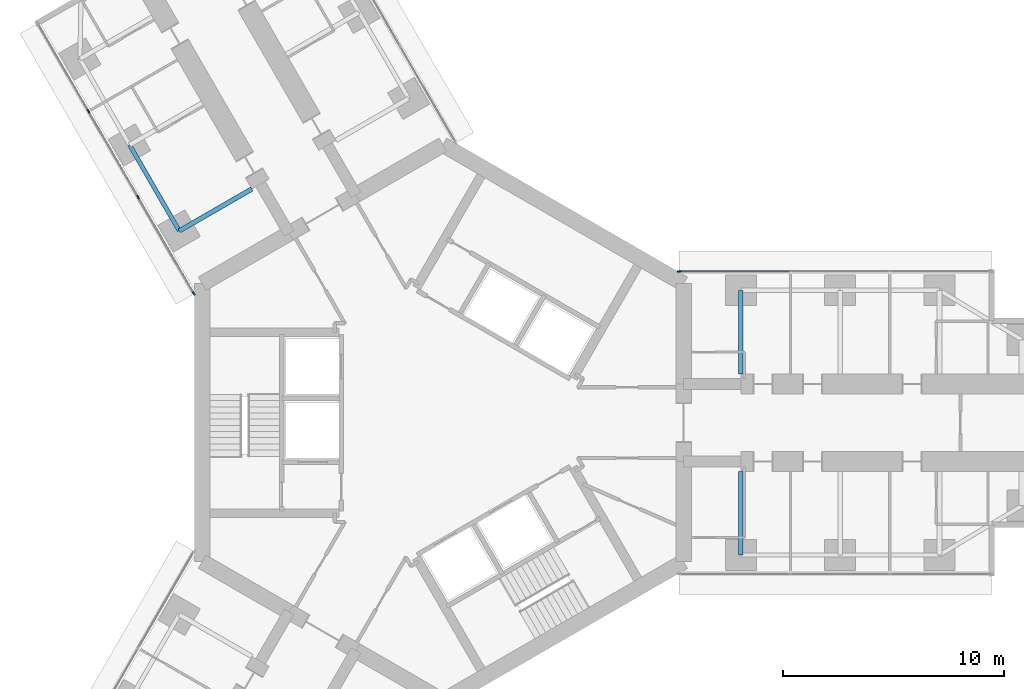
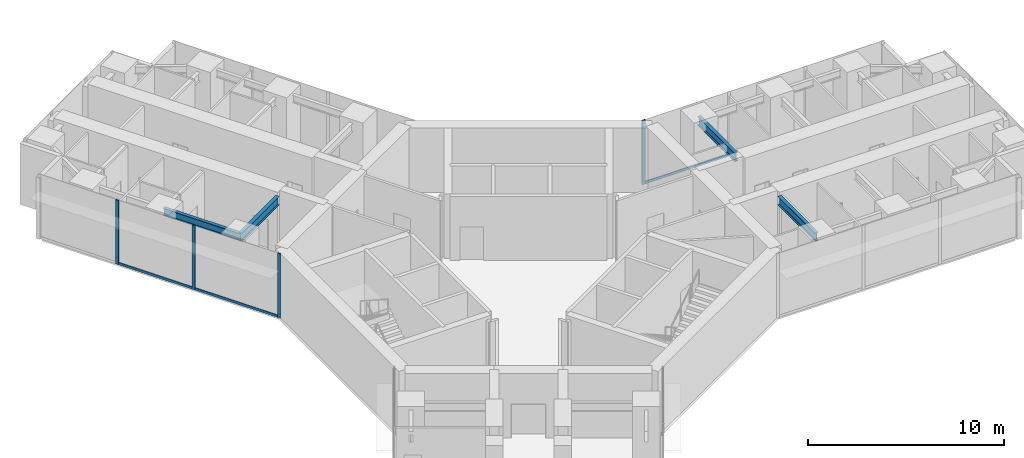
# One storey, part 6 of 25: 7 members, 4 beams, 2 elements without a shape of their own.
"""IFC4 building model written with IfcOpenShell, lengths in metres."""

from ifc_helpers import new_model, si_unit, direction, frame, origin, origin_2d, place, context, subcontext, project, spatial, rectangle, i_section, extrude, material, material_profile, profile_set, type_object, element, aggregate, save


model = new_model("IFC4")

# Units and contexts
model_context = context("Model", 3, precision=1e-05, world=origin(), true_north=direction((0.0, 1.0)))
body_context = subcontext(model_context, "Body", "Model", "MODEL_VIEW")
ifc_project = project(units=[si_unit("LENGTHUNIT", "METRE"), si_unit("AREAUNIT", "SQUARE_METRE"), si_unit("VOLUMEUNIT", "CUBIC_METRE"), si_unit("PLANEANGLEUNIT", "RADIAN"), si_unit("MASSUNIT", "GRAM", prefix="KILO")], contexts=[model_context])

# Site, building, storey
site_placement = place(None, origin())
site = spatial("IfcSite", under=ifc_project, at=site_placement, CompositionType="ELEMENT")
building_placement = place(site_placement, origin())
building = spatial("IfcBuilding", under=site, at=building_placement, Name="Upepo Twin Towers", CompositionType="ELEMENT")
storey_placement = place(building_placement, frame((0.0, 0.0, 80.5)))
storey = spatial("IfcBuildingStorey", under=building, at=storey_placement, Name="L19", CompositionType="ELEMENT", Elevation=80.5)

# Beams
ifc_material_1 = material(Name="Steel S355", Category="steel")
ifc_material_profile_1 = material_profile(ifc_material_1, i_section(OverallWidth=0.1904296875, OverallDepth=0.45703125, WebThickness=0.009033203125, FlangeThickness=0.014404296875, FilletRadius=0.01025390625, at=origin_2d()), Name="UB 457x191x74")
ifc_profile_set_1 = profile_set([ifc_material_profile_1], Name="Steel S355")
beam_type_1 = type_object("IfcBeamType", Name="Beam UB 457x191x74", PredefinedType="BEAM", material=ifc_profile_set_1)
beam_1_placement = place(storey_placement, frame((-11.946044921875, 8.69140625, 3.571533203125), z_axis=(-0.500013631625, 0.866017533419, 0.0), x_axis=(-0.866017533419, -0.500013631625, 0.0)))
element("IfcBeam", 1, at=beam_1_placement, inside=storey, type_object=beam_type_1, Name="T1 edge beam BL 13.5-18.0", PredefinedType="BEAM", context=body_context, shape_type="SweptSolid", body=[
    extrude(i_section(OverallWidth=0.1904296875, OverallDepth=0.45703125, WebThickness=0.009033203125, FlangeThickness=0.014404296875, FilletRadius=0.01025390625, at=origin_2d()), origin(), (0.0, 0.0, 1.0), 4.499755859375),
])
ifc_material_2 = material(Name="Steel S355", Category="steel")
ifc_material_profile_2 = material_profile(ifc_material_2, i_section(OverallWidth=0.209228515625, OverallDepth=0.533203125, WebThickness=0.010009765625, FlangeThickness=0.015625, FilletRadius=0.0126953125, at=origin_2d()), Name="UB 533x210x92")
ifc_profile_set_2 = profile_set([ifc_material_profile_2], Name="Steel S355")
beam_type_2 = type_object("IfcBeamType", Name="Beam UB 533x210x92", PredefinedType="BEAM", material=ifc_profile_set_2)
for number, where, z_axis, x_axis, name in (
    (2, (13.5, 6.0, 3.533447265625), (0.0, -1.0, 0.0), (1.0, 0.0, 0.0), "T1 girder AL at 13.5"),
    (3, (13.5, -6.0, 3.533447265625), (0.0, 1.0, 0.0), (-1.0, 0.0, 0.0), "T1 girder AR at 13.5"),
):
    element("IfcBeam", number, at=place(storey_placement, frame(where, z_axis=z_axis, x_axis=x_axis)), inside=storey, type_object=beam_type_2, Name=name, PredefinedType="BEAM", context=body_context, shape_type="SweptSolid", body=[
        extrude(i_section(OverallWidth=0.209228515625, OverallDepth=0.533203125, WebThickness=0.010009765625, FlangeThickness=0.015625, FilletRadius=0.0126953125, at=origin_2d()), origin(), (0.0, 0.0, 1.0), 3.800048828125),
    ])
beam_2_placement = place(storey_placement, frame((-11.946044921875, 8.69140625, 3.533447265625), z_axis=(0.866028304915, 0.499994975061, 0.0), x_axis=(-0.499994975061, 0.866028304915, 0.0)))
element("IfcBeam", 4, at=beam_2_placement, inside=storey, type_object=beam_type_2, Name="T1 girder BL at 13.5", PredefinedType="BEAM", context=body_context, shape_type="SweptSolid", body=[
    extrude(i_section(OverallWidth=0.209228515625, OverallDepth=0.533203125, WebThickness=0.010009765625, FlangeThickness=0.015625, FilletRadius=0.0126953125, at=origin_2d()), origin(), (0.0, 0.0, 1.0), 3.7998046875),
])

# Curtain wall, member
ifc_material_3 = material(Name="Aluminium and fritted glass", Category="aluminium")
curtain_wall_type = type_object("IfcCurtainWallType", Name="Tower curtain wall TW1, fritted glass", PredefinedType="NOTDEFINED", material=ifc_material_3)
curtain_wall_1_placement = place(storey_placement, origin())
curtain_wall_1 = element("IfcCurtainWall", 5, at=curtain_wall_1_placement, inside=storey, type_object=curtain_wall_type, Name="T1 L19 wing A flank L curtain wall", PredefinedType="NOTDEFINED")
ifc_material_4 = material(Name="Aluminium mullion", Category="aluminium")
ifc_material_profile_3 = material_profile(ifc_material_4, rectangle(XDim=0.06494140625, YDim=0.179931640625, at=origin_2d()), Name="MULLION 65x180")
ifc_profile_set_3 = profile_set([ifc_material_profile_3], Name="Aluminium mullion")
member_type_1 = type_object("IfcMemberType", Name="Mullion 65x180 TW1", PredefinedType="MULLION", material=ifc_profile_set_3)
member_1_placement = place(storey_placement, frame((10.7197265625, 6.85009765625, 0.0), z_axis=(0.0, 0.0, 1.0), x_axis=(0.0, 1.0, 0.0)))
member_1 = element("IfcMember", 6, at=member_1_placement, type_object=member_type_1, Name="T1 L19 wing A flank L curtain wall mullion 1", PredefinedType="MULLION", context=body_context, shape_type="SweptSolid", body=[
    extrude(rectangle(XDim=0.06494140625, YDim=0.179931640625, at=origin_2d()), origin(), (0.0, 0.0, 1.0), 4.0),
])

# Curtain wall, members
curtain_wall_2_placement = place(storey_placement, origin())
curtain_wall_2 = element("IfcCurtainWall", 7, at=curtain_wall_2_placement, inside=storey, type_object=curtain_wall_type, Name="T1 L19 wing B flank L curtain wall", PredefinedType="NOTDEFINED")
member_2_placement = place(storey_placement, frame((-11.2919921875, 5.8583984375, 0.0), z_axis=(0.0, 0.0, 1.0), x_axis=(-0.866025389682, -0.500000024426, 0.0)))
member_2 = element("IfcMember", 8, at=member_2_placement, type_object=member_type_1, Name="T1 L19 wing B flank L curtain wall mullion 1", PredefinedType="MULLION", context=body_context, shape_type="SweptSolid", body=[
    extrude(rectangle(XDim=0.06494140625, YDim=0.179931640625, at=origin_2d()), origin(), (0.0, 0.0, 1.0), 4.0),
])
member_3_placement = place(storey_placement, frame((-13.807373046875, 10.21484375, 0.0), z_axis=(0.0, 0.0, 1.0), x_axis=(-0.866025389682, -0.500000024426, 0.0)))
member_3 = element("IfcMember", 9, at=member_3_placement, type_object=member_type_1, Name="T1 L19 wing B flank L curtain wall mullion 2", PredefinedType="MULLION", context=body_context, shape_type="SweptSolid", body=[
    extrude(rectangle(XDim=0.06494140625, YDim=0.179931640625, at=origin_2d()), origin(), (0.0, 0.0, 1.0), 4.0),
])
member_4_placement = place(storey_placement, frame((-16.057373046875, 14.112060546875, 0.0), z_axis=(0.0, 0.0, 1.0), x_axis=(-0.866025389682, -0.500000024426, 0.0)))
member_4 = element("IfcMember", 10, at=member_4_placement, type_object=member_type_1, Name="T1 L19 wing B flank L curtain wall mullion 3", PredefinedType="MULLION", context=body_context, shape_type="SweptSolid", body=[
    extrude(rectangle(XDim=0.06494140625, YDim=0.179931640625, at=origin_2d()), origin(), (0.0, 0.0, 1.0), 4.0),
])

# Member
ifc_material_5 = material(Name="Aluminium transom", Category="aluminium")
ifc_material_profile_4 = material_profile(ifc_material_5, rectangle(XDim=0.06494140625, YDim=0.14990234375, at=origin_2d()), Name="TRANSOM 65x150")
ifc_profile_set_4 = profile_set([ifc_material_profile_4], Name="Aluminium transom")
member_type_2 = type_object("IfcMemberType", Name="Transom 65x150 TW1", PredefinedType="USERDEFINED", material=ifc_profile_set_4)
member_5_placement = place(storey_placement, frame((10.752197265625, 6.85009765625, 0.074951171875), z_axis=(1.0, 0.0, 0.0), x_axis=(0.0, 1.0, 0.0)))
member_5 = element("IfcMember", 11, at=member_5_placement, type_object=member_type_2, Name="T1 L19 wing A flank L curtain wall transom 1", ObjectType="TRANSOM", PredefinedType="USERDEFINED", context=body_context, shape_type="SweptSolid", body=[
    extrude(rectangle(XDim=0.06494140625, YDim=0.14990234375, at=origin_2d()), origin(), (0.0, 0.0, 1.0), 4.96533203125),
])

aggregate(curtain_wall_1, [member_1, member_5])

member_6_placement = place(storey_placement, frame((-11.308349609375, 5.88671875, 0.074951171875), z_axis=(-0.50000478328, 0.866022642139, 0.0), x_axis=(-0.866022642139, -0.50000478328, 0.0)))
member_6 = element("IfcMember", 12, at=member_6_placement, type_object=member_type_2, Name="T1 L19 wing B flank L curtain wall transom 1", ObjectType="TRANSOM", PredefinedType="USERDEFINED", context=body_context, shape_type="SweptSolid", body=[
    extrude(rectangle(XDim=0.06494140625, YDim=0.14990234375, at=origin_2d()), origin(), (0.0, 0.0, 1.0), 4.96533203125),
])

member_7_placement = place(storey_placement, frame((-13.823486328125, 10.2431640625, 0.074951171875), z_axis=(-0.500005184116, 0.866022410713, 0.0), x_axis=(-0.866022410713, -0.500005184116, 0.0)))
member_7 = element("IfcMember", 13, at=member_7_placement, type_object=member_type_2, Name="T1 L19 wing B flank L curtain wall transom 2", ObjectType="TRANSOM", PredefinedType="USERDEFINED", context=body_context, shape_type="SweptSolid", body=[
    extrude(rectangle(XDim=0.06494140625, YDim=0.14990234375, at=origin_2d()), origin(), (0.0, 0.0, 1.0), 4.43505859375),
])

aggregate(curtain_wall_2, [member_2, member_3, member_4, member_6, member_7])

save(model, "model.ifc")
